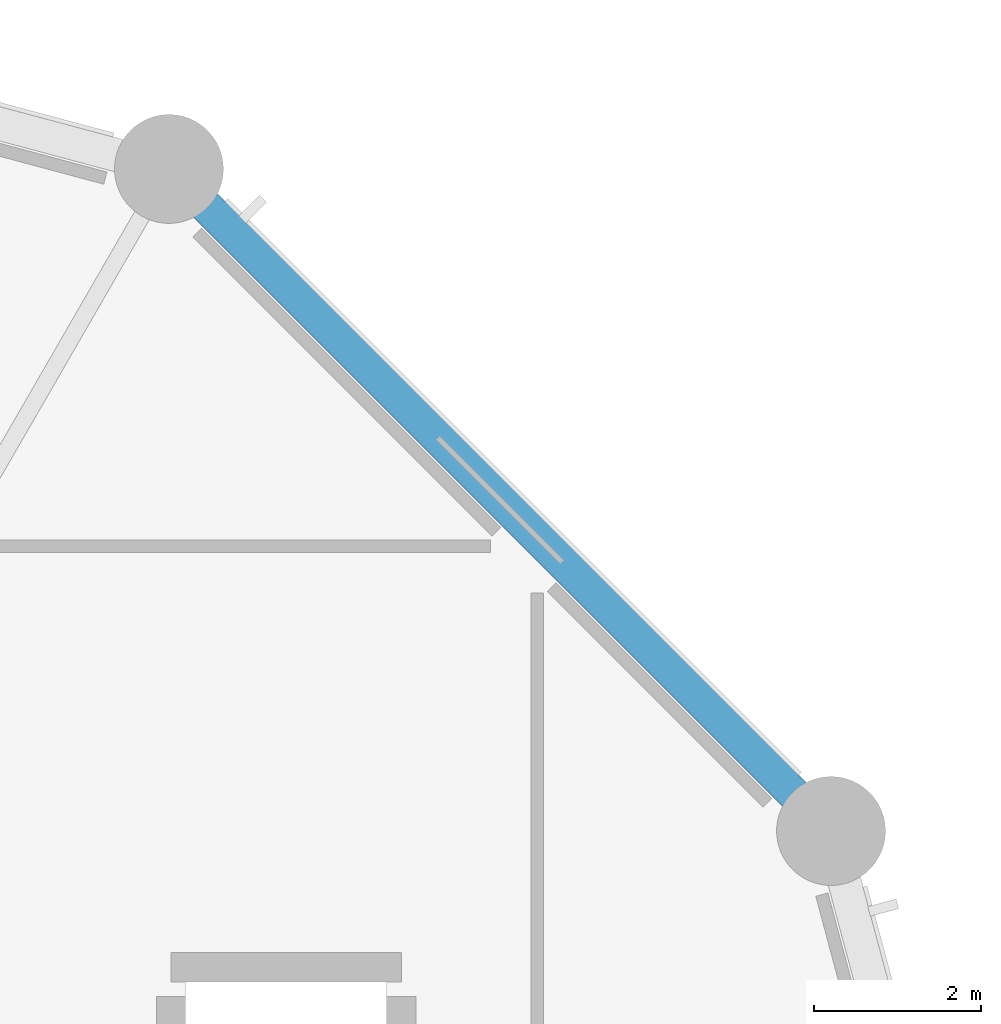
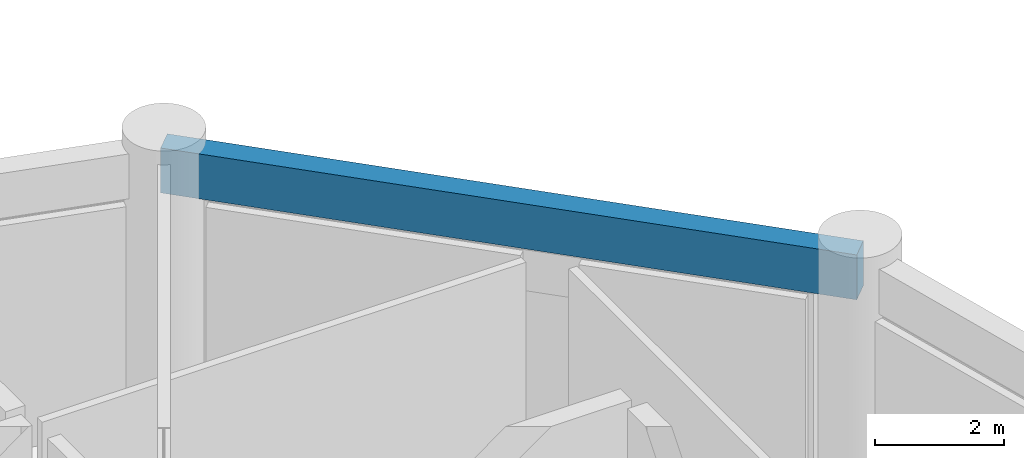
# One storey, part 81 of 166: 1 beam.
"""IFC4 building model written with IfcOpenShell, lengths in metres."""

from ifc_helpers import new_model, si_unit, direction, frame, origin, origin_2d, place, context, subcontext, project, spatial, rectangle, extrude, material, material_profile, profile_set, type_object, element, save


model = new_model("IFC4")

# Units and contexts
model_context = context("Model", 3, precision=1e-05, world=origin(), true_north=direction((0.0, 1.0)))
body_context = subcontext(model_context, "Body", "Model", "MODEL_VIEW")
ifc_project = project(units=[si_unit("LENGTHUNIT", "METRE"), si_unit("AREAUNIT", "SQUARE_METRE"), si_unit("VOLUMEUNIT", "CUBIC_METRE"), si_unit("PLANEANGLEUNIT", "RADIAN"), si_unit("MASSUNIT", "GRAM", prefix="KILO")], contexts=[model_context])

# Site, building, storey
site_placement = place(None, origin())
site = spatial("IfcSite", under=ifc_project, at=site_placement, CompositionType="ELEMENT")
building_placement = place(site_placement, origin())
building = spatial("IfcBuilding", under=site, at=building_placement, Name="Haizhuo Lancet Aquarium", CompositionType="ELEMENT")
storey_placement = place(building_placement, frame((0.0, 0.0, 5.39990234375)))
storey = spatial("IfcBuildingStorey", under=building, at=storey_placement, Name="L01", CompositionType="ELEMENT", Elevation=5.39990234375)

# Beam
ifc_material = material(Name="Concrete C40/50", Category="concrete")
ifc_material_profile = material_profile(ifc_material, rectangle(XDim=0.39990234375, YDim=0.85009765625, at=origin_2d()), Name="RC-SP 400x850")
ifc_profile_set = profile_set([ifc_material_profile], Name="Concrete C40/50")
beam_type = type_object("IfcBeamType", Name="SPN-RC-400x850", PredefinedType="SPANDREL", material=ifc_profile_set)
beam_placement = place(storey_placement, frame((18.7060546875, 10.800048828125, 4.715087890625), z_axis=(-0.707106781187, 0.707106781187, 0.0), x_axis=(-0.707106781187, -0.707106781187, 0.0)))
element("IfcBeam", 1, at=beam_placement, inside=storey, type_object=beam_type, Name="L01 drum perimeter spandrel 2", PredefinedType="SPANDREL", context=body_context, shape_type="SweptSolid", body=[
    extrude(rectangle(XDim=0.39990234375, YDim=0.85009765625, at=origin_2d()), origin(), (0.0, 0.0, 1.0), 11.1806640625),
])

save(model, "model.ifc")
